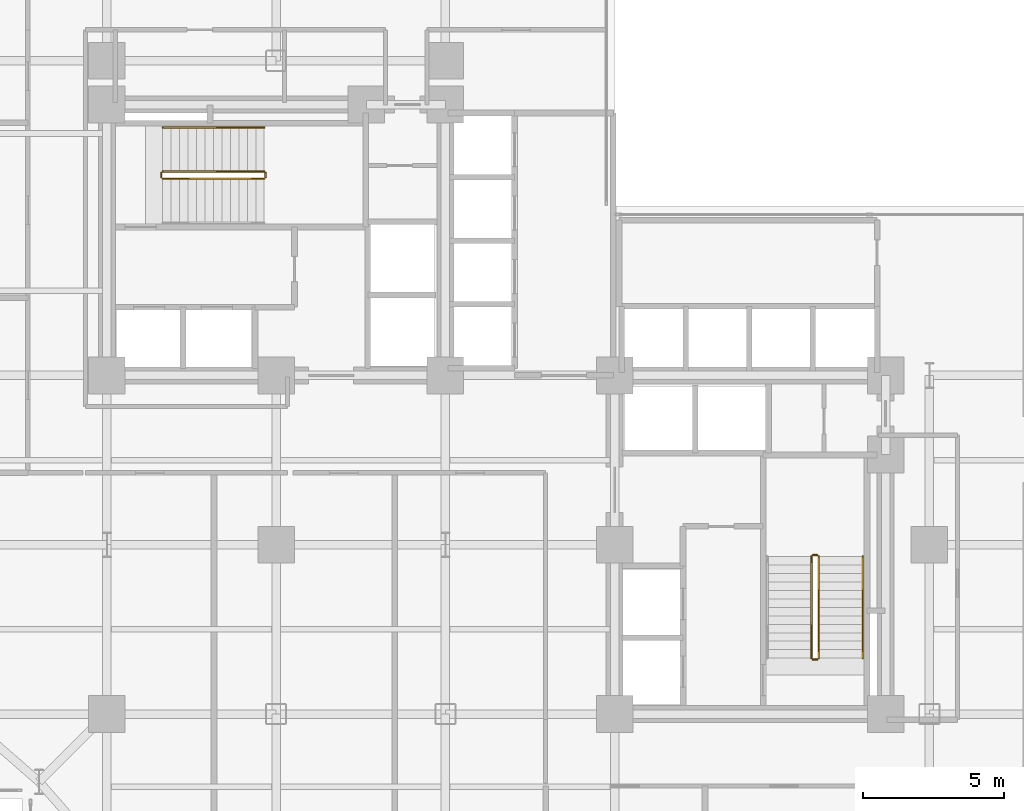
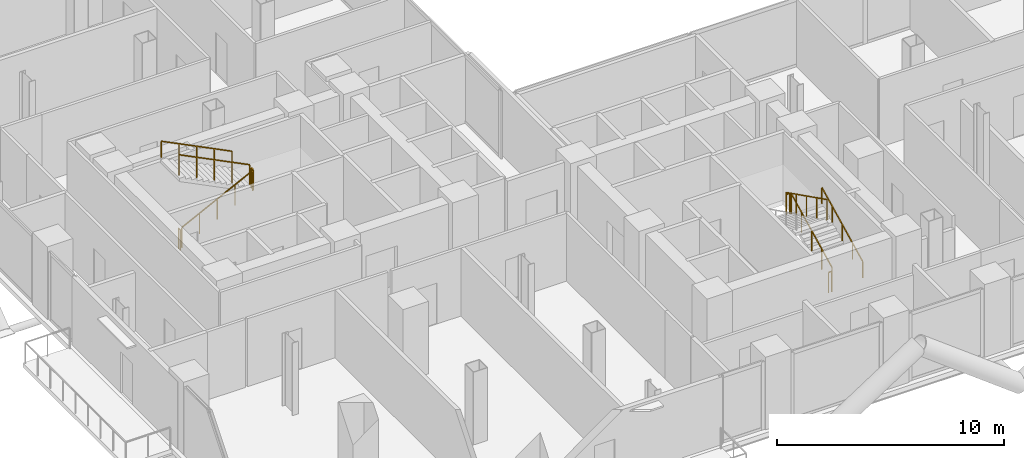
# One storey, part 25 of 25: 10 railings.
"""IFC4 building model written with IfcOpenShell, lengths in metres."""

from ifc_helpers import new_model, si_unit, direction, frame, origin, origin_2d, place, context, subcontext, project, spatial, rectangle, extrude, material, type_object, element, save


model = new_model("IFC4")

# Units and contexts
model_context = context("Model", 3, precision=1e-05, world=origin(), true_north=direction((0.0, 1.0)))
body_context = subcontext(model_context, "Body", "Model", "MODEL_VIEW")
ifc_project = project(units=[si_unit("LENGTHUNIT", "METRE"), si_unit("AREAUNIT", "SQUARE_METRE"), si_unit("VOLUMEUNIT", "CUBIC_METRE"), si_unit("PLANEANGLEUNIT", "RADIAN"), si_unit("MASSUNIT", "GRAM", prefix="KILO"), si_unit("THERMODYNAMICTEMPERATUREUNIT", "KELVIN"), si_unit("POWERUNIT", "WATT")], contexts=[model_context])

# Site, building, storey
site_placement = place(None, origin())
site = spatial("IfcSite", under=ifc_project, at=site_placement, CompositionType="ELEMENT")
building_placement = place(site_placement, origin())
building = spatial("IfcBuilding", under=site, at=building_placement, Name="Svarakhadi Broadcast Tower", CompositionType="ELEMENT")
storey_placement = place(building_placement, frame((0.0, 0.0, 67.5)))
storey = spatial("IfcBuildingStorey", under=building, at=storey_placement, Name="L15", CompositionType="ELEMENT", Elevation=67.5)

# Railings
ifc_material = material(Name="Anodised Bronze Aluminium AA 6063-T6", Category="aluminium")
railing_type_1 = type_object("IfcRailingType", Name="Guard_Stair_GR01", PredefinedType="GUARDRAIL", material=ifc_material)
railing_1_placement = place(storey_placement, frame((7.97998046875, 24.969970703125, 0.14990234375)))
element("IfcRailing", 1, at=railing_1_placement, inside=storey, type_object=railing_type_1, Name="L15 ST-01 stair guard 1", PredefinedType="GUARDRAIL", context=body_context, shape_type="SweptSolid", body=[
    extrude(rectangle(XDim=0.048095703125, YDim=0.048095703125, at=origin_2d()), frame((0.0, 0.0, 1.09619140625), z_axis=(0.894427191, 0.0, 0.4472135955), x_axis=(0.0, 1.0, 0.0)), (0.0, 0.0, 1.0), 4.025146484375),
    extrude(rectangle(XDim=0.0419921875, YDim=0.0419921875, at=origin_2d()), origin(), (0.0, 0.0, 1.0), 1.072021484375),
    extrude(rectangle(XDim=0.0419921875, YDim=0.0419921875, at=origin_2d()), frame((0.89990234375, 0.0, 0.449951171875)), (0.0, 0.0, 1.0), 1.072021484375),
    extrude(rectangle(XDim=0.0419921875, YDim=0.0419921875, at=origin_2d()), frame((1.800048828125, 0.0, 0.89990234375)), (0.0, 0.0, 1.0), 1.072021484375),
    extrude(rectangle(XDim=0.0419921875, YDim=0.0419921875, at=origin_2d()), frame((2.7001953125, 0.0, 1.35009765625)), (0.0, 0.0, 1.0), 1.072021484375),
    extrude(rectangle(XDim=0.0419921875, YDim=0.0419921875, at=origin_2d()), frame((3.60009765625, 0.0, 1.800048828125)), (0.0, 0.0, 1.0), 1.072021484375),
])
railing_2_placement = place(storey_placement, frame((11.6298828125, 25.02001953125, 1.949951171875)))
element("IfcRailing", 2, at=railing_2_placement, inside=storey, type_object=railing_type_1, Name="L15 ST-01 stair guard 2", PredefinedType="GUARDRAIL", context=body_context, shape_type="SweptSolid", body=[
    extrude(rectangle(XDim=0.048095703125, YDim=0.048095703125, at=origin_2d()), frame((0.0, 0.0, 1.09619140625), z_axis=(0.0, 1.0, 0.0), x_axis=(-1.0, 0.0, 0.0)), (0.0, 0.0, 1.0), 0.159912109375),
    extrude(rectangle(XDim=0.0419921875, YDim=0.0419921875, at=origin_2d()), origin(), (0.0, 0.0, 1.0), 1.072021484375),
    extrude(rectangle(XDim=0.0419921875, YDim=0.0419921875, at=origin_2d()), frame((0.0, 0.159912109375, 0.0)), (0.0, 0.0, 1.0), 1.072021484375),
])
railing_3_placement = place(storey_placement, frame((11.580078125, 25.22998046875, 2.10009765625)))
element("IfcRailing", 3, at=railing_3_placement, inside=storey, type_object=railing_type_1, Name="L15 ST-01 stair guard 3", PredefinedType="GUARDRAIL", context=body_context, shape_type="SweptSolid", body=[
    extrude(rectangle(XDim=0.048095703125, YDim=0.048095703125, at=origin_2d()), frame((0.0, 0.0, 1.09619140625), z_axis=(-0.894451452574, 0.0, 0.447165069061), x_axis=(0.0, -1.0, 0.0)), (0.0, 0.0, 1.0), 4.02490234375),
    extrude(rectangle(XDim=0.0419921875, YDim=0.0419921875, at=origin_2d()), origin(), (0.0, 0.0, 1.0), 1.072021484375),
    extrude(rectangle(XDim=0.0419921875, YDim=0.0419921875, at=origin_2d()), frame((-0.89990234375, 0.0, 0.449951171875)), (0.0, 0.0, 1.0), 1.072021484375),
    extrude(rectangle(XDim=0.0419921875, YDim=0.0419921875, at=origin_2d()), frame((-1.800048828125, 0.0, 0.89990234375)), (0.0, 0.0, 1.0), 1.072021484375),
    extrude(rectangle(XDim=0.0419921875, YDim=0.0419921875, at=origin_2d()), frame((-2.7001953125, 0.0, 1.349853515625)), (0.0, 0.0, 1.0), 1.072021484375),
    extrude(rectangle(XDim=0.0419921875, YDim=0.0419921875, at=origin_2d()), frame((-3.60009765625, 0.0, 1.7998046875)), (0.0, 0.0, 1.0), 1.072021484375),
])
railing_4_placement = place(storey_placement, frame((7.929931640625, 25.02001953125, 0.0)))
element("IfcRailing", 4, at=railing_4_placement, inside=storey, type_object=railing_type_1, Name="L15 ST-01 stair guard 4", PredefinedType="GUARDRAIL", context=body_context, shape_type="SweptSolid", body=[
    extrude(rectangle(XDim=0.048095703125, YDim=0.048095703125, at=origin_2d()), frame((0.0, 0.0, 1.09619140625), z_axis=(0.0, 1.0, 0.0), x_axis=(-1.0, 0.0, 0.0)), (0.0, 0.0, 1.0), 0.159912109375),
    extrude(rectangle(XDim=0.0419921875, YDim=0.0419921875, at=origin_2d()), origin(), (0.0, 0.0, 1.0), 1.072021484375),
    extrude(rectangle(XDim=0.0419921875, YDim=0.0419921875, at=origin_2d()), frame((0.0, 0.159912109375, 0.0)), (0.0, 0.0, 1.0), 1.072021484375),
])
railing_5_placement = place(storey_placement, frame((31.22998046875, 7.97998046875, 0.14990234375)))
element("IfcRailing", 5, at=railing_5_placement, inside=storey, type_object=railing_type_1, Name="L15 ST-02 stair guard 1", PredefinedType="GUARDRAIL", context=body_context, shape_type="SweptSolid", body=[
    extrude(rectangle(XDim=0.048095703125, YDim=0.048095703125, at=origin_2d()), frame((0.0, 0.0, 1.09619140625), z_axis=(0.0, 0.894427191, 0.4472135955), x_axis=(-1.0, 0.0, 0.0)), (0.0, 0.0, 1.0), 4.025146484375),
    extrude(rectangle(XDim=0.0419921875, YDim=0.0419921875, at=origin_2d()), origin(), (0.0, 0.0, 1.0), 1.072021484375),
    extrude(rectangle(XDim=0.0419921875, YDim=0.0419921875, at=origin_2d()), frame((0.0, 0.89990234375, 0.449951171875)), (0.0, 0.0, 1.0), 1.072021484375),
    extrude(rectangle(XDim=0.0419921875, YDim=0.0419921875, at=origin_2d()), frame((0.0, 1.800048828125, 0.89990234375)), (0.0, 0.0, 1.0), 1.072021484375),
    extrude(rectangle(XDim=0.0419921875, YDim=0.0419921875, at=origin_2d()), frame((0.0, 2.7001953125, 1.35009765625)), (0.0, 0.0, 1.0), 1.072021484375),
    extrude(rectangle(XDim=0.0419921875, YDim=0.0419921875, at=origin_2d()), frame((0.0, 3.60009765625, 1.800048828125)), (0.0, 0.0, 1.0), 1.072021484375),
])
railing_6_placement = place(storey_placement, frame((31.179931640625, 11.6298828125, 1.949951171875)))
element("IfcRailing", 6, at=railing_6_placement, inside=storey, type_object=railing_type_1, Name="L15 ST-02 stair guard 2", PredefinedType="GUARDRAIL", context=body_context, shape_type="SweptSolid", body=[
    extrude(rectangle(XDim=0.048095703125, YDim=0.048095703125, at=origin_2d()), frame((0.0, 0.0, 1.09619140625), z_axis=(-1.0, 0.0, 0.0), x_axis=(0.0, -1.0, 0.0)), (0.0, 0.0, 1.0), 0.159912109375),
    extrude(rectangle(XDim=0.0419921875, YDim=0.0419921875, at=origin_2d()), origin(), (0.0, 0.0, 1.0), 1.072021484375),
    extrude(rectangle(XDim=0.0419921875, YDim=0.0419921875, at=origin_2d()), frame((-0.159912109375, 0.0, 0.0)), (0.0, 0.0, 1.0), 1.072021484375),
])
railing_7_placement = place(storey_placement, frame((30.969970703125, 11.580078125, 2.10009765625)))
element("IfcRailing", 7, at=railing_7_placement, inside=storey, type_object=railing_type_1, Name="L15 ST-02 stair guard 3", PredefinedType="GUARDRAIL", context=body_context, shape_type="SweptSolid", body=[
    extrude(rectangle(XDim=0.048095703125, YDim=0.048095703125, at=origin_2d()), frame((0.0, 0.0, 1.09619140625), z_axis=(0.0, -0.894451452574, 0.447165069061), x_axis=(1.0, 0.0, 0.0)), (0.0, 0.0, 1.0), 4.02490234375),
    extrude(rectangle(XDim=0.0419921875, YDim=0.0419921875, at=origin_2d()), origin(), (0.0, 0.0, 1.0), 1.072021484375),
    extrude(rectangle(XDim=0.0419921875, YDim=0.0419921875, at=origin_2d()), frame((0.0, -0.89990234375, 0.449951171875)), (0.0, 0.0, 1.0), 1.072021484375),
    extrude(rectangle(XDim=0.0419921875, YDim=0.0419921875, at=origin_2d()), frame((0.0, -1.800048828125, 0.89990234375)), (0.0, 0.0, 1.0), 1.072021484375),
    extrude(rectangle(XDim=0.0419921875, YDim=0.0419921875, at=origin_2d()), frame((0.0, -2.7001953125, 1.349853515625)), (0.0, 0.0, 1.0), 1.072021484375),
    extrude(rectangle(XDim=0.0419921875, YDim=0.0419921875, at=origin_2d()), frame((0.0, -3.60009765625, 1.7998046875)), (0.0, 0.0, 1.0), 1.072021484375),
])
railing_8_placement = place(storey_placement, frame((31.179931640625, 7.929931640625, 0.0)))
element("IfcRailing", 8, at=railing_8_placement, inside=storey, type_object=railing_type_1, Name="L15 ST-02 stair guard 4", PredefinedType="GUARDRAIL", context=body_context, shape_type="SweptSolid", body=[
    extrude(rectangle(XDim=0.048095703125, YDim=0.048095703125, at=origin_2d()), frame((0.0, 0.0, 1.09619140625), z_axis=(-1.0, 0.0, 0.0), x_axis=(0.0, -1.0, 0.0)), (0.0, 0.0, 1.0), 0.159912109375),
    extrude(rectangle(XDim=0.0419921875, YDim=0.0419921875, at=origin_2d()), origin(), (0.0, 0.0, 1.0), 1.072021484375),
    extrude(rectangle(XDim=0.0419921875, YDim=0.0419921875, at=origin_2d()), frame((-0.159912109375, 0.0, 0.0)), (0.0, 0.0, 1.0), 1.072021484375),
])
railing_type_2 = type_object("IfcRailingType", Name="Handrail_Stair_HR01", PredefinedType="HANDRAIL", material=ifc_material)
railing_9_placement = place(storey_placement, frame((11.580078125, 26.7900390625, 2.10009765625)))
element("IfcRailing", 9, at=railing_9_placement, inside=storey, type_object=railing_type_2, Name="L15 ST-01 stair handrail 2", PredefinedType="HANDRAIL", context=body_context, shape_type="SweptSolid", body=[
    extrude(rectangle(XDim=0.048095703125, YDim=0.048095703125, at=origin_2d()), frame((0.0, 0.0, 0.8759765625), z_axis=(-0.894451452574, 0.0, 0.447165069061), x_axis=(0.0, -1.0, 0.0)), (0.0, 0.0, 1.0), 4.02490234375),
    extrude(rectangle(XDim=0.0419921875, YDim=0.0419921875, at=origin_2d()), origin(), (0.0, 0.0, 1.0), 0.851806640625),
    extrude(rectangle(XDim=0.0419921875, YDim=0.0419921875, at=origin_2d()), frame((-0.89990234375, 0.0, 0.449951171875)), (0.0, 0.0, 1.0), 0.851806640625),
    extrude(rectangle(XDim=0.0419921875, YDim=0.0419921875, at=origin_2d()), frame((-1.800048828125, 0.0, 0.89990234375)), (0.0, 0.0, 1.0), 0.851806640625),
    extrude(rectangle(XDim=0.0419921875, YDim=0.0419921875, at=origin_2d()), frame((-2.7001953125, 0.0, 1.349853515625)), (0.0, 0.0, 1.0), 0.851806640625),
    extrude(rectangle(XDim=0.0419921875, YDim=0.0419921875, at=origin_2d()), frame((-3.60009765625, 0.0, 1.7998046875)), (0.0, 0.0, 1.0), 0.851806640625),
])
railing_10_placement = place(storey_placement, frame((32.7900390625, 7.97998046875, 0.14990234375)))
element("IfcRailing", 10, at=railing_10_placement, inside=storey, type_object=railing_type_2, Name="L15 ST-02 stair handrail 1", PredefinedType="HANDRAIL", context=body_context, shape_type="SweptSolid", body=[
    extrude(rectangle(XDim=0.048095703125, YDim=0.048095703125, at=origin_2d()), frame((0.0, 0.0, 0.8759765625), z_axis=(0.0, 0.894427191, 0.4472135955), x_axis=(-1.0, 0.0, 0.0)), (0.0, 0.0, 1.0), 4.025146484375),
    extrude(rectangle(XDim=0.0419921875, YDim=0.0419921875, at=origin_2d()), origin(), (0.0, 0.0, 1.0), 0.851806640625),
    extrude(rectangle(XDim=0.0419921875, YDim=0.0419921875, at=origin_2d()), frame((0.0, 0.89990234375, 0.449951171875)), (0.0, 0.0, 1.0), 0.851806640625),
    extrude(rectangle(XDim=0.0419921875, YDim=0.0419921875, at=origin_2d()), frame((0.0, 1.800048828125, 0.89990234375)), (0.0, 0.0, 1.0), 0.851806640625),
    extrude(rectangle(XDim=0.0419921875, YDim=0.0419921875, at=origin_2d()), frame((0.0, 2.7001953125, 1.35009765625)), (0.0, 0.0, 1.0), 0.851806640625),
    extrude(rectangle(XDim=0.0419921875, YDim=0.0419921875, at=origin_2d()), frame((0.0, 3.60009765625, 1.800048828125)), (0.0, 0.0, 1.0), 0.851806640625),
])

save(model, "model.ifc")
